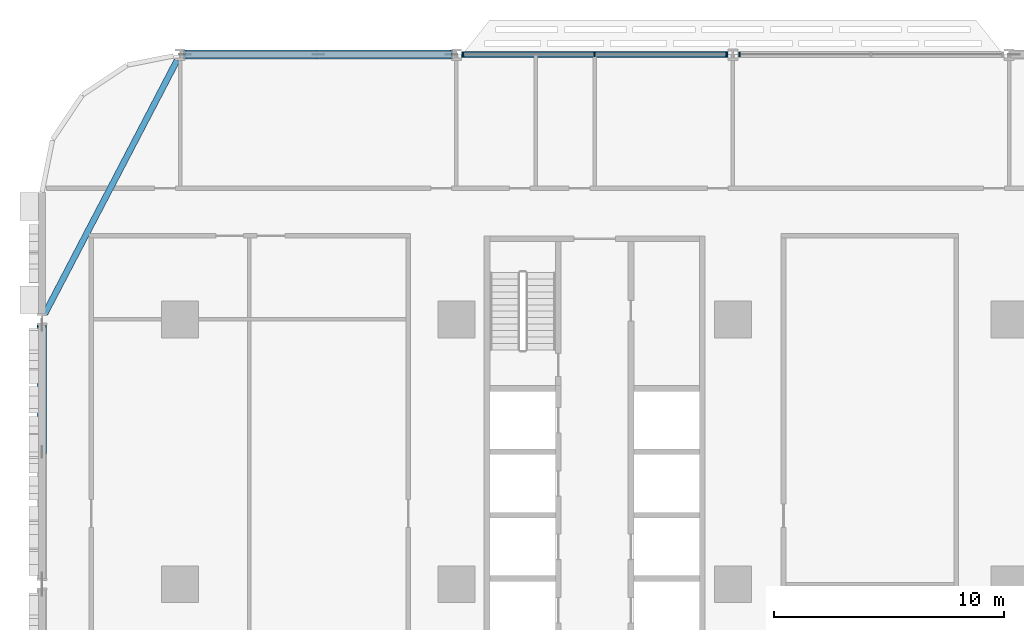
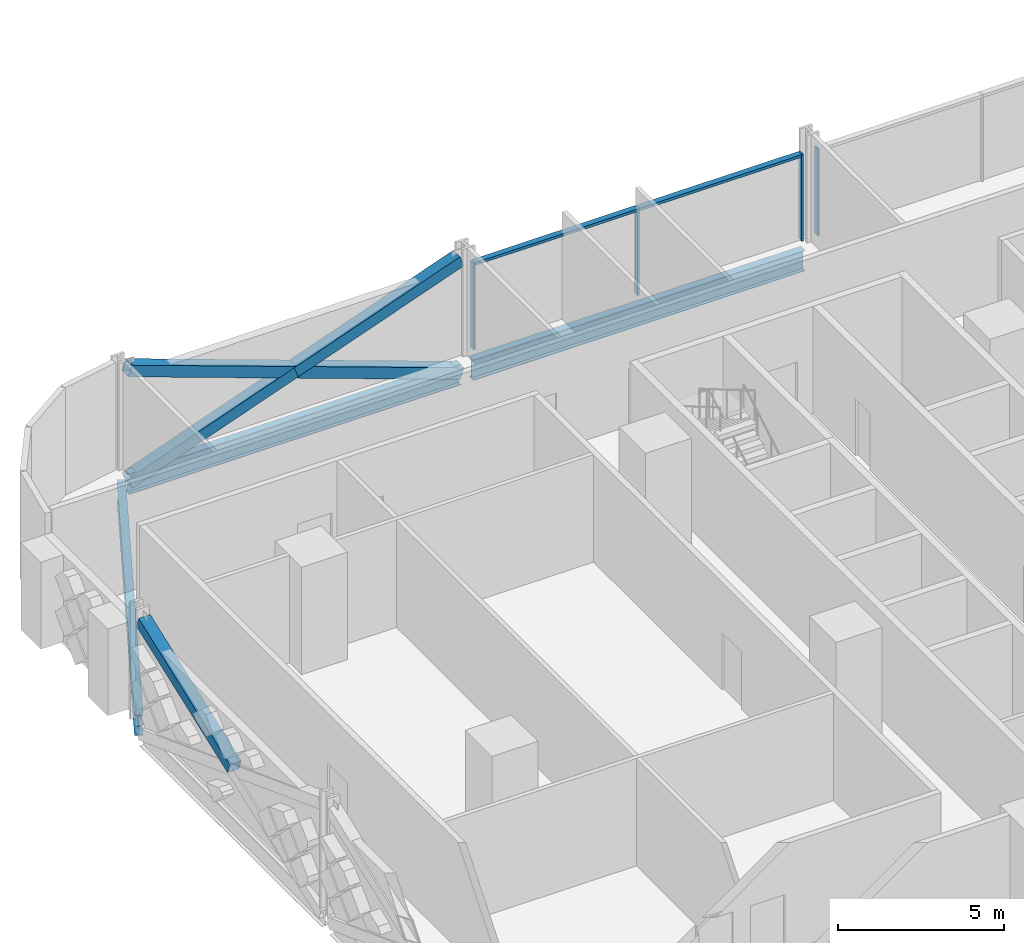
# One storey, part 5 of 29: 10 members, 3 beams, 2 elements without a shape of their own.
"""IFC4 building model written with IfcOpenShell, lengths in metres."""

from ifc_helpers import new_model, si_unit, direction, frame, origin, origin_2d, place, context, subcontext, project, spatial, rectangle, hollow_rectangle, i_section, extrude, material, material_profile, profile_set, type_object, element, aggregate, save


model = new_model("IFC4")

# Units and contexts
model_context = context("Model", 3, precision=1e-05, world=origin(), true_north=direction((0.0, 1.0)))
body_context = subcontext(model_context, "Body", "Model", "MODEL_VIEW")
ifc_project = project(units=[si_unit("LENGTHUNIT", "METRE"), si_unit("AREAUNIT", "SQUARE_METRE"), si_unit("VOLUMEUNIT", "CUBIC_METRE"), si_unit("PLANEANGLEUNIT", "RADIAN"), si_unit("MASSUNIT", "GRAM", prefix="KILO")], contexts=[model_context])

# Site, building, storey
site_placement = place(None, origin())
site = spatial("IfcSite", under=ifc_project, at=site_placement, CompositionType="ELEMENT")
building_placement = place(site_placement, origin())
building = spatial("IfcBuilding", under=site, at=building_placement, Name="Mahtab Terrace Research Tower", CompositionType="ELEMENT")
storey_placement = place(building_placement, frame((0.0, 0.0, 20.10009765625)))
storey = spatial("IfcBuildingStorey", under=building, at=storey_placement, Name="L04", CompositionType="ELEMENT", Elevation=20.10009765625)

# Members
ifc_material_1 = material(Name="Steel ASTM A500 Gr C", Category="steel")
ifc_material_profile_1 = material_profile(ifc_material_1, hollow_rectangle(XDim=0.406494140625, YDim=0.406494140625, WallThickness=0.01904296875, at=origin_2d()), Name="HSS16X16X3/4")
ifc_profile_set_1 = profile_set([ifc_material_profile_1], Name="Steel ASTM A500 Gr C")
member_type_1 = type_object("IfcMemberType", Name="HSS 16x16x3/4 brace XB161634", PredefinedType="BRACE", material=ifc_profile_set_1)
member_1_placement = place(storey_placement, frame((-30.2158203125, 23.0, -0.64111328125), z_axis=(-0.941388097231, 0.0, 0.337325436917), x_axis=(0.0, -1.0, 0.0)))
element("IfcMember", 1, at=member_1_placement, inside=storey, type_object=member_type_1, Name="Exoskeleton brace L04 07 a", PredefinedType="BRACE", context=body_context, shape_type="SweptSolid", body=[
    extrude(hollow_rectangle(XDim=0.406494140625, YDim=0.406494140625, WallThickness=0.01904296875, at=origin_2d()), origin(), (0.0, 0.0, 1.0), 12.28857421875),
])
for number, where, z_axis, x_axis, name in (
    (2, (-41.7841796875, 23.0, -0.64111328125), (0.941394406025, 0.0, 0.337307830185), (0.0, 1.0, 0.0), "Exoskeleton brace L04 07 b1"),
    (3, (-36.0, 23.0, 1.431396484375), (0.941381788192, 0.0, 0.337343043295), (0.0, 1.0, 0.0), "Exoskeleton brace L04 07 b2"),
):
    element("IfcMember", number, at=place(storey_placement, frame(where, z_axis=z_axis, x_axis=x_axis)), inside=storey, type_object=member_type_1, Name=name, PredefinedType="BRACE", context=body_context, shape_type="SweptSolid", body=[
        extrude(hollow_rectangle(XDim=0.406494140625, YDim=0.406494140625, WallThickness=0.01904296875, at=origin_2d()), origin(), (0.0, 0.0, 1.0), 6.144287109375),
    ])
member_2_placement = place(storey_placement, frame((-48.0, 5.75, 1.431396484375), z_axis=(0.0, 0.936668691391, 0.350216736563), x_axis=(-1.0, 0.0, 0.0)))
element("IfcMember", 4, at=member_2_placement, inside=storey, type_object=member_type_1, Name="Exoskeleton brace L04 09 b2", PredefinedType="BRACE", context=body_context, shape_type="SweptSolid", body=[
    extrude(hollow_rectangle(XDim=0.406494140625, YDim=0.406494140625, WallThickness=0.01904296875, at=origin_2d()), origin(), (0.0, 0.0, 1.0), 5.873291015625),
])

# Curtain wall, member
ifc_material_2 = material(Name="Laboratory ribbon curtain wall")
curtain_wall_type = type_object("IfcCurtainWallType", Name="Laboratory ribbon curtain wall", PredefinedType="NOTDEFINED", material=ifc_material_2)
curtain_wall_1_placement = place(storey_placement, origin())
curtain_wall_1 = element("IfcCurtainWall", 5, at=curtain_wall_1_placement, inside=storey, type_object=curtain_wall_type, Name="EN.L04.3.7", PredefinedType="NOTDEFINED")
ifc_material_3 = material(Name="Natural anodised aluminium", Category="aluminium")
ifc_material_profile_2 = material_profile(ifc_material_3, rectangle(XDim=0.199951171875, YDim=0.06494140625, at=origin_2d()), Name="MULLION 65x200")
ifc_profile_set_2 = profile_set([ifc_material_profile_2], Name="Natural anodised aluminium")
member_type_2 = type_object("IfcMemberType", Name="Laboratory ribbon curtain wall mullion", PredefinedType="MULLION", material=ifc_profile_set_2)
member_3_placement = place(storey_placement, frame((-17.718505859375, 23.0, 0.0), z_axis=(0.0, 0.0, 1.0), x_axis=(0.0, -1.0, 0.0)))
member_3 = element("IfcMember", 6, at=member_3_placement, type_object=member_type_2, Name="CWL-1 mullion 3", PredefinedType="MULLION", context=body_context, shape_type="SweptSolid", body=[
    extrude(rectangle(XDim=0.199951171875, YDim=0.06494140625, at=origin_2d()), origin(), (0.0, 0.0, 1.0), 3.202880859375),
])
aggregate(curtain_wall_1, [member_3])

# Curtain wall, members
curtain_wall_2_placement = place(storey_placement, origin())
curtain_wall_2 = element("IfcCurtainWall", 7, at=curtain_wall_2_placement, inside=storey, type_object=curtain_wall_type, Name="EN.L04.3.8", PredefinedType="NOTDEFINED")
member_4_placement = place(storey_placement, frame((-18.281494140625, 23.0, 0.0), z_axis=(0.0, 0.0, 1.0), x_axis=(0.0, -1.0, 0.0)))
member_4 = element("IfcMember", 8, at=member_4_placement, type_object=member_type_2, Name="CWL-1 mullion 1", PredefinedType="MULLION", context=body_context, shape_type="SweptSolid", body=[
    extrude(rectangle(XDim=0.199951171875, YDim=0.06494140625, at=origin_2d()), origin(), (0.0, 0.0, 1.0), 3.202880859375),
])
member_5_placement = place(storey_placement, frame((-24.0, 23.0, 0.0), z_axis=(0.0, 0.0, 1.0), x_axis=(0.0, -1.0, 0.0)))
member_5 = element("IfcMember", 9, at=member_5_placement, type_object=member_type_2, Name="CWL-1 mullion 2", PredefinedType="MULLION", context=body_context, shape_type="SweptSolid", body=[
    extrude(rectangle(XDim=0.199951171875, YDim=0.06494140625, at=origin_2d()), origin(), (0.0, 0.0, 1.0), 3.202880859375),
])
member_6_placement = place(storey_placement, frame((-29.718505859375, 23.0, 0.0), z_axis=(0.0, 0.0, 1.0), x_axis=(0.0, -1.0, 0.0)))
member_6 = element("IfcMember", 10, at=member_6_placement, type_object=member_type_2, Name="CWL-1 mullion 3", PredefinedType="MULLION", context=body_context, shape_type="SweptSolid", body=[
    extrude(rectangle(XDim=0.199951171875, YDim=0.06494140625, at=origin_2d()), origin(), (0.0, 0.0, 1.0), 3.202880859375),
])
ifc_material_profile_3 = material_profile(ifc_material_3, rectangle(XDim=0.199951171875, YDim=0.10009765625, at=origin_2d()), Name="TRANSOM 100x200")
ifc_profile_set_3 = profile_set([ifc_material_profile_3], Name="Natural anodised aluminium")
member_type_3 = type_object("IfcMemberType", Name="Laboratory ribbon curtain wall transom", PredefinedType="USERDEFINED", material=ifc_profile_set_3)
member_7_placement = place(storey_placement, frame((-18.31396484375, 23.0, 3.153076171875), z_axis=(-1.0, 0.0, 0.0), x_axis=(0.0, -1.0, 0.0)))
member_7 = element("IfcMember", 11, at=member_7_placement, type_object=member_type_3, Name="CWL-1 transom 1", ObjectType="TRANSOM", PredefinedType="USERDEFINED", context=body_context, shape_type="SweptSolid", body=[
    extrude(rectangle(XDim=0.199951171875, YDim=0.10009765625, at=origin_2d()), origin(), (0.0, 0.0, 1.0), 5.653564453125),
])
member_8_placement = place(storey_placement, frame((-24.032470703125, 23.0, 3.153076171875), z_axis=(-1.0, 0.0, 0.0), x_axis=(0.0, -1.0, 0.0)))
member_8 = element("IfcMember", 12, at=member_8_placement, type_object=member_type_3, Name="CWL-1 transom 2", ObjectType="TRANSOM", PredefinedType="USERDEFINED", context=body_context, shape_type="SweptSolid", body=[
    extrude(rectangle(XDim=0.199951171875, YDim=0.10009765625, at=origin_2d()), origin(), (0.0, 0.0, 1.0), 5.653564453125),
])
aggregate(curtain_wall_2, [member_4, member_5, member_6, member_7, member_8])

# Beams
ifc_material_4 = material(Name="Steel ASTM A992 Gr 50", Category="steel")
ifc_material_profile_4 = material_profile(ifc_material_4, i_section(OverallWidth=0.2666015625, OverallDepth=0.7568359375, WebThickness=0.013916015625, FlangeThickness=0.019287109375, at=origin_2d()), Name="W30X108")
ifc_profile_set_4 = profile_set([ifc_material_profile_4], Name="Steel ASTM A992 Gr 50")
beam_type = type_object("IfcBeamType", Name="W30x108 beam BS30108", PredefinedType="BEAM", material=ifc_profile_set_4)
for number, where, z_axis, x_axis, name in (
    (13, (-18.2158203125, 23.0, -0.718505859375), (-1.0, 0.0, 0.0), (0.0, -1.0, 0.0), "Spandrel beam L04 06"),
    (14, (-30.2158203125, 23.0, -0.718505859375), (-1.0, 0.0, 0.0), (0.0, -1.0, 0.0), "Spandrel beam L04 07"),
):
    element("IfcBeam", number, at=place(storey_placement, frame(where, z_axis=z_axis, x_axis=x_axis)), inside=storey, type_object=beam_type, Name=name, PredefinedType="BEAM", context=body_context, shape_type="SweptSolid", body=[
        extrude(i_section(OverallWidth=0.2666015625, OverallDepth=0.7568359375, WebThickness=0.013916015625, FlangeThickness=0.019287109375, at=origin_2d()), origin(), (0.0, 0.0, 1.0), 11.568359375),
    ])
beam_placement = place(storey_placement, frame((-42.1298828125, 22.751220703125, -0.718505859375), z_axis=(-0.462555249274, -0.88659045865, 0.0), x_axis=(0.88659045865, -0.462555249274, 0.0)))
element("IfcBeam", 15, at=beam_placement, inside=storey, type_object=beam_type, Name="Spandrel beam L04 08", PredefinedType="BEAM", context=body_context, shape_type="SweptSolid", body=[
    extrude(i_section(OverallWidth=0.2666015625, OverallDepth=0.7568359375, WebThickness=0.013916015625, FlangeThickness=0.019287109375, at=origin_2d()), origin(), (0.0, 0.0, 1.0), 12.409912109375),
])

save(model, "model.ifc")
